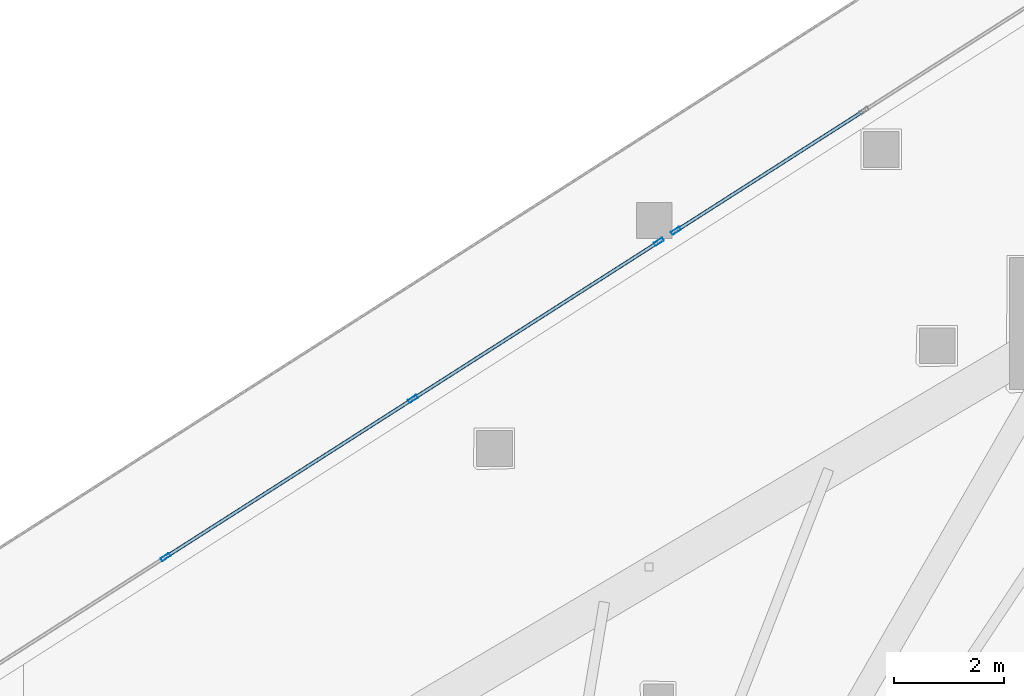
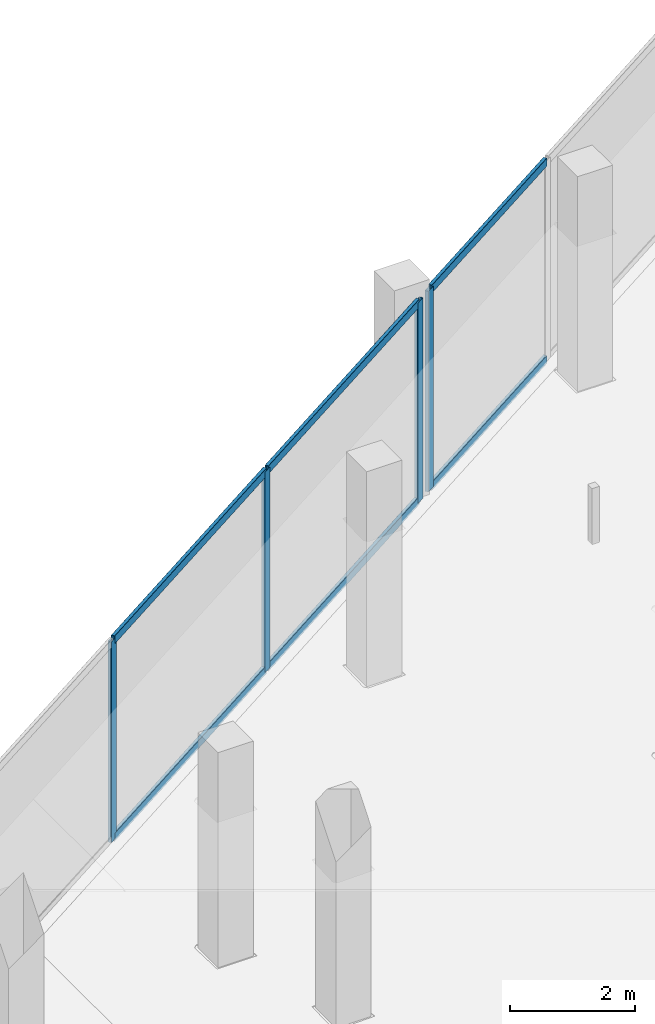
# One storey, part 20 of 44: 10 members, 2 elements without a shape of their own.
"""IFC4 building model written with IfcOpenShell, lengths in metres."""

from ifc_helpers import new_model, si_unit, direction, frame, origin, origin_2d, place, context, subcontext, project, spatial, hollow_rectangle, extrude, material, layer, layer_set, material_profile, profile_set, type_object, element, aggregate, save


model = new_model("IFC4")

# Units and contexts
model_context = context("Model", 3, precision=1e-05, world=origin(), true_north=direction((0.0, 1.0)))
body_context = subcontext(model_context, "Body", "Model", "MODEL_VIEW")
ifc_project = project(units=[si_unit("LENGTHUNIT", "METRE"), si_unit("AREAUNIT", "SQUARE_METRE"), si_unit("VOLUMEUNIT", "CUBIC_METRE"), si_unit("PLANEANGLEUNIT", "RADIAN"), si_unit("MASSUNIT", "GRAM", prefix="KILO")], contexts=[model_context])

# Site, building, storey
site_placement = place(None, origin())
site = spatial("IfcSite", under=ifc_project, at=site_placement, CompositionType="ELEMENT")
building_placement = place(site_placement, origin())
building = spatial("IfcBuilding", under=site, at=building_placement, Name="Qorvath Tower", CompositionType="ELEMENT")
storey_placement = place(building_placement, frame((0.0, 0.0, 40.800048828125)))
storey = spatial("IfcBuildingStorey", under=building, at=storey_placement, Name="L08", CompositionType="ELEMENT", Elevation=40.800048828125)

# Curtain wall, member
ifc_material_1 = material(Name="Anodised aluminium and triple low-E glass", Category="aluminium")
ifc_layer = layer(ifc_material_1, 0.179931640625)
ifc_layer_set = layer_set([ifc_layer], Name="CW-SYS-2")
curtain_wall_type = type_object("IfcCurtainWallType", Name="CW-SYS-2", PredefinedType="NOTDEFINED", material=ifc_layer_set)
curtain_wall_1_placement = place(storey_placement, origin())
curtain_wall_1 = element("IfcCurtainWall", 1, at=curtain_wall_1_placement, inside=storey, type_object=curtain_wall_type, Name="Curtain Wall CW-2 CW-T-L08-16.1", PredefinedType="NOTDEFINED")
ifc_material_2 = material(Name="Anodised aluminium 6063-T6", Category="aluminium")
ifc_material_profile_1 = material_profile(ifc_material_2, hollow_rectangle(XDim=0.06494140625, YDim=0.179931640625, WallThickness=0.00341796875, InnerFilletRadius=0.00341796875, OuterFilletRadius=0.007080078125, at=origin_2d()), Name="CWM 180x65")
ifc_profile_set_1 = profile_set([ifc_material_profile_1], Name="Anodised aluminium 6063-T6")
member_type_1 = type_object("IfcMemberType", Name="CWM-180", PredefinedType="MULLION", material=ifc_profile_set_1)
member_1_placement = place(storey_placement, frame((-21.73388671875, 29.017333984375, 0.0), z_axis=(0.0, 0.0, 1.0), x_axis=(0.538532896531, -0.842604485719, 0.0)))
member_1 = element("IfcMember", 2, at=member_1_placement, type_object=member_type_1, Name="CW-2 mullion 3", PredefinedType="MULLION", context=body_context, shape_type="SweptSolid", body=[
    extrude(hollow_rectangle(XDim=0.06494140625, YDim=0.179931640625, WallThickness=0.00341796875, InnerFilletRadius=0.00341796875, OuterFilletRadius=0.007080078125, at=origin_2d()), origin(), (0.0, 0.0, 1.0), 3.919921875),
])

# Curtain wall, members
curtain_wall_2_placement = place(storey_placement, origin())
curtain_wall_2 = element("IfcCurtainWall", 3, at=curtain_wall_2_placement, inside=storey, type_object=curtain_wall_type, Name="Curtain Wall CW-2 CW-T-L08-16.2", PredefinedType="NOTDEFINED")
member_2_placement = place(storey_placement, frame((-22.04541015625, 28.818115234375, 0.0), z_axis=(0.0, 0.0, 1.0), x_axis=(0.538541095387, -0.842599245537, 0.0)))
member_2 = element("IfcMember", 4, at=member_2_placement, type_object=member_type_1, Name="CW-2 mullion 1", PredefinedType="MULLION", context=body_context, shape_type="SweptSolid", body=[
    extrude(hollow_rectangle(XDim=0.06494140625, YDim=0.179931640625, WallThickness=0.00341796875, InnerFilletRadius=0.00341796875, OuterFilletRadius=0.007080078125, at=origin_2d()), origin(), (0.0, 0.0, 1.0), 3.919921875),
])
member_3_placement = place(storey_placement, frame((-26.520263671875, 25.958251953125, 0.0), z_axis=(0.0, 0.0, 1.0), x_axis=(0.538541095387, -0.842599245537, 0.0)))
member_3 = element("IfcMember", 5, at=member_3_placement, type_object=member_type_1, Name="CW-2 mullion 2", PredefinedType="MULLION", context=body_context, shape_type="SweptSolid", body=[
    extrude(hollow_rectangle(XDim=0.06494140625, YDim=0.179931640625, WallThickness=0.00341796875, InnerFilletRadius=0.00341796875, OuterFilletRadius=0.007080078125, at=origin_2d()), origin(), (0.0, 0.0, 1.0), 3.919921875),
])
member_4_placement = place(storey_placement, frame((-31.0224609375, 23.080810546875, 0.0), z_axis=(0.0, 0.0, 1.0), x_axis=(0.538541095387, -0.842599245537, 0.0)))
member_4 = element("IfcMember", 6, at=member_4_placement, type_object=member_type_1, Name="CW-2 mullion 3", PredefinedType="MULLION", context=body_context, shape_type="SweptSolid", body=[
    extrude(hollow_rectangle(XDim=0.06494140625, YDim=0.179931640625, WallThickness=0.00341796875, InnerFilletRadius=0.00341796875, OuterFilletRadius=0.007080078125, at=origin_2d()), origin(), (0.0, 0.0, 1.0), 3.919921875),
])

# Member
ifc_material_3 = material(Name="Anodised aluminium 6063-T6", Category="aluminium")
ifc_material_profile_2 = material_profile(ifc_material_3, hollow_rectangle(XDim=0.06494140625, YDim=0.159912109375, WallThickness=0.00341796875, InnerFilletRadius=0.00341796875, OuterFilletRadius=0.007080078125, at=origin_2d()), Name="CWT 160x65")
ifc_profile_set_2 = profile_set([ifc_material_profile_2], Name="Anodised aluminium 6063-T6")
member_type_2 = type_object("IfcMemberType", Name="CWT-160", PredefinedType="USERDEFINED", material=ifc_profile_set_2)
member_5_placement = place(storey_placement, frame((-18.340087890625, 31.186279296875, 0.032470703125), z_axis=(-0.842630791707, -0.538491735189, 0.0), x_axis=(0.538491735189, -0.842630791707, 0.0)))
member_5 = element("IfcMember", 7, at=member_5_placement, type_object=member_type_2, Name="CW-2 transom 2.1", ObjectType="TRANSOM", PredefinedType="USERDEFINED", context=body_context, shape_type="SweptSolid", body=[
    extrude(hollow_rectangle(XDim=0.06494140625, YDim=0.159912109375, WallThickness=0.00341796875, InnerFilletRadius=0.00341796875, OuterFilletRadius=0.007080078125, at=origin_2d()), origin(), (0.0, 0.0, 1.0), 3.9951171875),
])

member_6_placement = place(storey_placement, frame((-18.340087890625, 31.186279296875, 3.887451171875), z_axis=(-0.842630791707, -0.538491735189, 0.0), x_axis=(0.538491735189, -0.842630791707, 0.0)))
member_6 = element("IfcMember", 8, at=member_6_placement, type_object=member_type_2, Name="CW-2 transom 2.2", ObjectType="TRANSOM", PredefinedType="USERDEFINED", context=body_context, shape_type="SweptSolid", body=[
    extrude(hollow_rectangle(XDim=0.06494140625, YDim=0.159912109375, WallThickness=0.00341796875, InnerFilletRadius=0.00341796875, OuterFilletRadius=0.007080078125, at=origin_2d()), origin(), (0.0, 0.0, 1.0), 3.9951171875),
])

aggregate(curtain_wall_1, [member_1, member_5, member_6])

member_7_placement = place(storey_placement, frame((-22.07275390625, 28.80078125, 0.032470703125), z_axis=(-0.842592429827, -0.53855175907, 0.0), x_axis=(0.53855175907, -0.842592429827, 0.0)))
member_7 = element("IfcMember", 9, at=member_7_placement, type_object=member_type_2, Name="CW-2 transom 1.1", ObjectType="TRANSOM", PredefinedType="USERDEFINED", context=body_context, shape_type="SweptSolid", body=[
    extrude(hollow_rectangle(XDim=0.06494140625, YDim=0.159912109375, WallThickness=0.00341796875, InnerFilletRadius=0.00341796875, OuterFilletRadius=0.007080078125, at=origin_2d()), origin(), (0.0, 0.0, 1.0), 5.245849609375),
])

member_8_placement = place(storey_placement, frame((-22.07275390625, 28.80078125, 3.887451171875), z_axis=(-0.842592429827, -0.53855175907, 0.0), x_axis=(0.53855175907, -0.842592429827, 0.0)))
member_8 = element("IfcMember", 10, at=member_8_placement, type_object=member_type_2, Name="CW-2 transom 1.2", ObjectType="TRANSOM", PredefinedType="USERDEFINED", context=body_context, shape_type="SweptSolid", body=[
    extrude(hollow_rectangle(XDim=0.06494140625, YDim=0.159912109375, WallThickness=0.00341796875, InnerFilletRadius=0.00341796875, OuterFilletRadius=0.007080078125, at=origin_2d()), origin(), (0.0, 0.0, 1.0), 5.245849609375),
])

member_9_placement = place(storey_placement, frame((-26.547607421875, 25.940673828125, 0.032470703125), z_axis=(-0.842591313382, -0.538553505803, 0.0), x_axis=(0.538553505803, -0.842591313382, 0.0)))
member_9 = element("IfcMember", 11, at=member_9_placement, type_object=member_type_2, Name="CW-2 transom 2.1", ObjectType="TRANSOM", PredefinedType="USERDEFINED", context=body_context, shape_type="SweptSolid", body=[
    extrude(hollow_rectangle(XDim=0.06494140625, YDim=0.159912109375, WallThickness=0.00341796875, InnerFilletRadius=0.00341796875, OuterFilletRadius=0.007080078125, at=origin_2d()), origin(), (0.0, 0.0, 1.0), 5.278076171875),
])

member_10_placement = place(storey_placement, frame((-26.547607421875, 25.940673828125, 3.887451171875), z_axis=(-0.842591313382, -0.538553505803, 0.0), x_axis=(0.538553505803, -0.842591313382, 0.0)))
member_10 = element("IfcMember", 12, at=member_10_placement, type_object=member_type_2, Name="CW-2 transom 2.2", ObjectType="TRANSOM", PredefinedType="USERDEFINED", context=body_context, shape_type="SweptSolid", body=[
    extrude(hollow_rectangle(XDim=0.06494140625, YDim=0.159912109375, WallThickness=0.00341796875, InnerFilletRadius=0.00341796875, OuterFilletRadius=0.007080078125, at=origin_2d()), origin(), (0.0, 0.0, 1.0), 5.278076171875),
])

aggregate(curtain_wall_2, [member_2, member_3, member_4, member_7, member_8, member_9, member_10])

save(model, "model.ifc")
